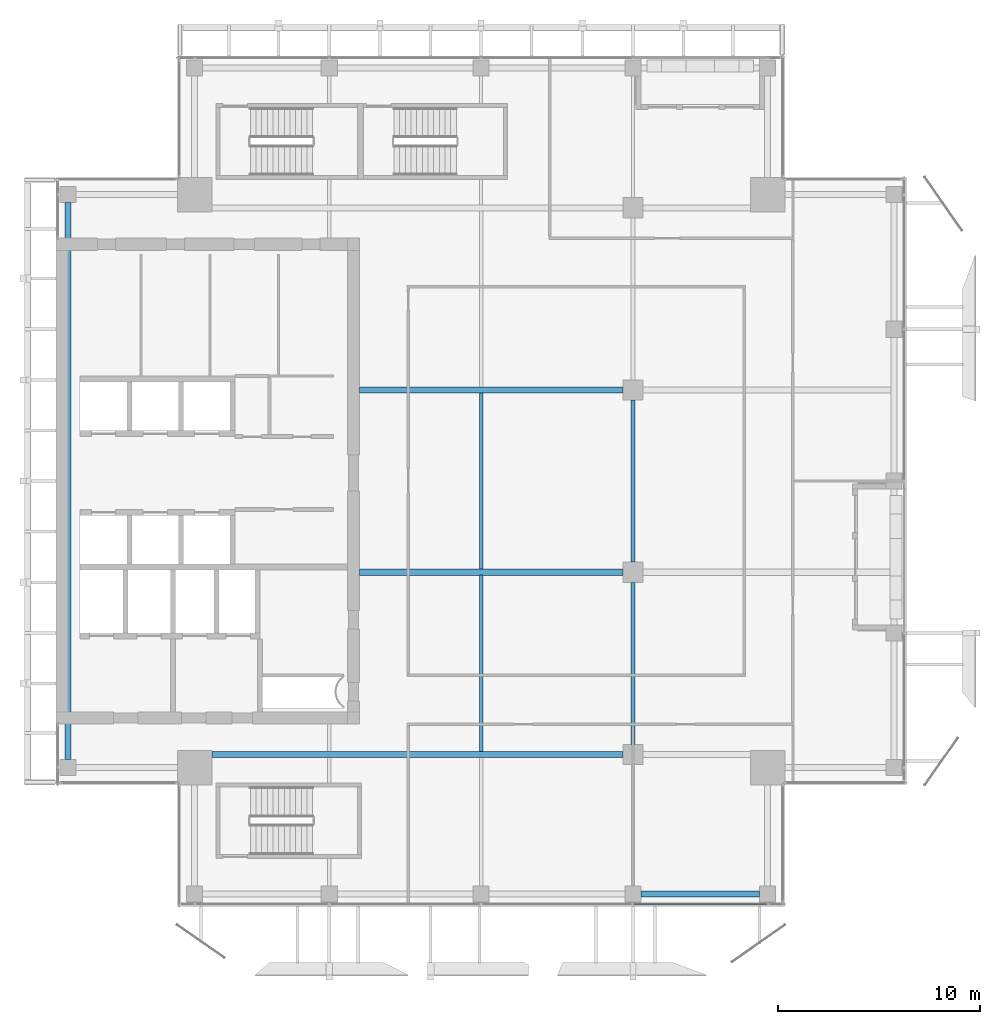
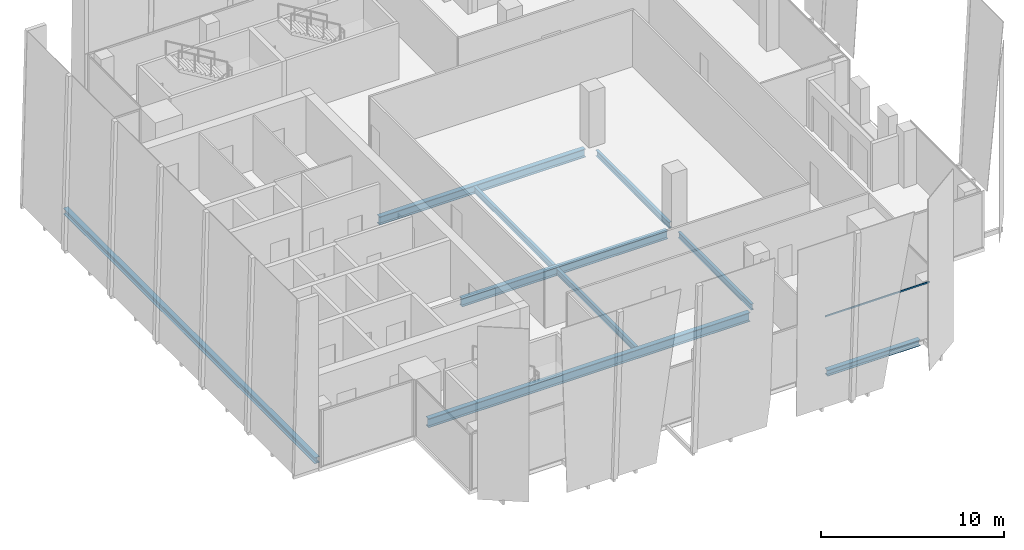
# One storey, part 6 of 32: 9 beams, 1 member, 1 element without a shape of its own.
"""IFC4 building model written with IfcOpenShell, lengths in metres."""

from ifc_helpers import new_model, si_unit, direction, frame, origin, origin_2d, place, context, subcontext, project, spatial, hollow_rectangle, i_section, extrude, source, transform, mapped, material, material_profile, profile_set, type_object, element, aggregate, save


model = new_model("IFC4")

# Units and contexts
model_context = context("Model", 3, precision=1e-05, world=origin(), true_north=direction((0.0, 1.0)))
body_context = subcontext(model_context, "Body", "Model", "MODEL_VIEW")
ifc_project = project(units=[si_unit("LENGTHUNIT", "METRE"), si_unit("AREAUNIT", "SQUARE_METRE"), si_unit("VOLUMEUNIT", "CUBIC_METRE"), si_unit("PLANEANGLEUNIT", "RADIAN"), si_unit("MASSUNIT", "GRAM", prefix="KILO")], contexts=[model_context])

# Site, building, storey
site_placement = place(None, origin())
site = spatial("IfcSite", under=ifc_project, at=site_placement, CompositionType="ELEMENT")
building_placement = place(site_placement, origin())
building = spatial("IfcBuilding", under=site, at=building_placement, Name="Khomas Fold Tower", CompositionType="ELEMENT")
storey_placement = place(building_placement, frame((0.0, 0.0, 318.199951171875)))
storey = spatial("IfcBuildingStorey", under=building, at=storey_placement, Name="L72", CompositionType="ELEMENT", Elevation=318.199951171875)

# Beams
ifc_material_1 = material(Name="Steel S355", Category="steel")
ifc_material_profile_1 = material_profile(ifc_material_1, i_section(OverallWidth=0.179931640625, OverallDepth=0.39990234375, WebThickness=0.008544921875, FlangeThickness=0.013427734375, at=origin_2d()), Name="IPE 400")
ifc_profile_set_1 = profile_set([ifc_material_profile_1], Name="Steel S355")
beam_type_1 = type_object("IfcBeamType", Name="IPE 400 beam JB3", PredefinedType="BEAM", material=ifc_profile_set_1)
shared_shape_1 = source(origin(), body_context, "Body", "SweptSolid", [
    extrude(i_section(OverallWidth=0.179931640625, OverallDepth=0.39990234375, WebThickness=0.008544921875, FlangeThickness=0.013427734375, at=origin_2d()), origin(), (0.0, 0.0, 1.0), 8.7001953125),
])
for number, where, z_axis, x_axis, name in (
    (1, (27.0, 13.64990234375, -0.449951171875), (0.0, 1.0, 0.0), (-1.0, 0.0, 0.0), "JB3"),
    (2, (27.0, 22.64990234375, -0.449951171875), (0.0, 1.0, 0.0), (-1.0, 0.0, 0.0), "JB3"),
):
    element("IfcBeam", number, at=place(storey_placement, frame(where, z_axis=z_axis, x_axis=x_axis)), inside=storey, type_object=beam_type_1, Name=name, PredefinedType="BEAM", context=body_context, shape_type="MappedRepresentation", body=[
        mapped(shared_shape_1, transform((0.0, 0.0, 0.0))),
    ])
ifc_material_2 = material(Name="Steel S355", Category="steel")
ifc_material_profile_2 = material_profile(ifc_material_2, i_section(OverallWidth=0.300048828125, OverallDepth=0.39990234375, WebThickness=0.013427734375, FlangeThickness=0.02392578125, at=origin_2d()), Name="HE 400 B")
ifc_profile_set_2 = profile_set([ifc_material_profile_2], Name="Steel S355")
beam_type_2 = type_object("IfcBeamType", Name="HE 400 B spandrel SB5", PredefinedType="SPANDREL", material=ifc_profile_set_2)
shared_shape_2 = source(origin(), body_context, "Body", "SweptSolid", [
    extrude(i_section(OverallWidth=0.300048828125, OverallDepth=0.39990234375, WebThickness=0.013427734375, FlangeThickness=0.02392578125, at=origin_2d()), origin(), (0.0, 0.0, 1.0), 5.85009765625),
])
beam_1_placement = place(storey_placement, frame((34.89990234375, 6.60009765625, -0.449951171875), z_axis=(1.0, 0.0, 0.0), x_axis=(0.0, 1.0, 0.0)))
element("IfcBeam", 3, at=beam_1_placement, inside=storey, type_object=beam_type_2, Name="SB5", PredefinedType="SPANDREL", context=body_context, shape_type="MappedRepresentation", body=[
    mapped(shared_shape_2, transform((0.0, 0.0, 0.0))),
])
shared_shape_3 = source(origin(), body_context, "Body", "SweptSolid", [
    extrude(i_section(OverallWidth=0.300048828125, OverallDepth=0.39990234375, WebThickness=0.013427734375, FlangeThickness=0.02392578125, at=origin_2d()), origin(), (0.0, 0.0, 1.0), 27.5),
])
beam_2_placement = place(storey_placement, frame((6.60009765625, 13.25, -0.449951171875), z_axis=(0.0, 1.0, 0.0), x_axis=(-1.0, 0.0, 0.0)))
element("IfcBeam", 4, at=beam_2_placement, inside=storey, type_object=beam_type_2, Name="SB5", PredefinedType="SPANDREL", context=body_context, shape_type="MappedRepresentation", body=[
    mapped(shared_shape_3, transform((0.0, 0.0, 0.0))),
])
ifc_material_3 = material(Name="Steel S355", Category="steel")
ifc_material_profile_3 = material_profile(ifc_material_3, i_section(OverallWidth=0.300048828125, OverallDepth=0.60009765625, WebThickness=0.015380859375, FlangeThickness=0.030029296875, at=origin_2d()), Name="HE 600 B")
ifc_profile_set_3 = profile_set([ifc_material_profile_3], Name="Steel S355")
beam_type_3 = type_object("IfcBeamType", Name="HE 600 B beam GB5", PredefinedType="BEAM", material=ifc_profile_set_3)
shared_shape_4 = source(origin(), body_context, "Body", "SweptSolid", [
    extrude(i_section(OverallWidth=0.300048828125, OverallDepth=0.60009765625, WebThickness=0.015380859375, FlangeThickness=0.030029296875, at=origin_2d()), origin(), (0.0, 0.0, 1.0), 20.300048828125),
])
beam_3_placement = place(storey_placement, frame((13.699951171875, 13.5, -0.550048828125), z_axis=(1.0, 0.0, 0.0), x_axis=(0.0, 1.0, 0.0)))
element("IfcBeam", 5, at=beam_3_placement, inside=storey, type_object=beam_type_3, Name="GB5", PredefinedType="BEAM", context=body_context, shape_type="MappedRepresentation", body=[
    mapped(shared_shape_4, transform((0.0, 0.0, 0.0))),
])
ifc_material_4 = material(Name="Steel S355", Category="steel")
ifc_material_profile_4 = material_profile(ifc_material_4, i_section(OverallWidth=0.300048828125, OverallDepth=0.550048828125, WebThickness=0.014892578125, FlangeThickness=0.029052734375, at=origin_2d()), Name="HE 550 B")
ifc_profile_set_4 = profile_set([ifc_material_profile_4], Name="Steel S355")
beam_type_4 = type_object("IfcBeamType", Name="HE 550 B beam GB4", PredefinedType="BEAM", material=ifc_profile_set_4)
shared_shape_5 = source(origin(), body_context, "Body", "SweptSolid", [
    extrude(i_section(OverallWidth=0.300048828125, OverallDepth=0.550048828125, WebThickness=0.014892578125, FlangeThickness=0.029052734375, at=origin_2d()), origin(), (0.0, 0.0, 1.0), 13.0),
])
for number, where, z_axis, x_axis, name in (
    (6, (21.0, 22.5, -0.52490234375), (1.0, 0.0, 0.0), (0.0, 1.0, 0.0), "GB4"),
    (7, (21.0, 31.5, -0.52490234375), (1.0, 0.0, 0.0), (0.0, 1.0, 0.0), "GB4"),
):
    element("IfcBeam", number, at=place(storey_placement, frame(where, z_axis=z_axis, x_axis=x_axis)), inside=storey, type_object=beam_type_4, Name=name, PredefinedType="BEAM", context=body_context, shape_type="MappedRepresentation", body=[
        mapped(shared_shape_5, transform((0.0, 0.0, 0.0))),
    ])
shared_shape_6 = source(origin(), body_context, "Body", "SweptSolid", [
    extrude(i_section(OverallWidth=0.179931640625, OverallDepth=0.39990234375, WebThickness=0.008544921875, FlangeThickness=0.013427734375, at=origin_2d()), origin(), (0.0, 0.0, 1.0), 8.0),
])
for number, where, z_axis, x_axis, name in (
    (8, (34.5, 14.0, -0.449951171875), (0.0, 1.0, 0.0), (-1.0, 0.0, 0.0), "JB3"),
    (9, (34.5, 23.0, -0.449951171875), (0.0, 1.0, 0.0), (-1.0, 0.0, 0.0), "JB3"),
):
    element("IfcBeam", number, at=place(storey_placement, frame(where, z_axis=z_axis, x_axis=x_axis)), inside=storey, type_object=beam_type_1, Name=name, PredefinedType="BEAM", context=body_context, shape_type="MappedRepresentation", body=[
        mapped(shared_shape_6, transform((0.0, 0.0, 0.0))),
    ])

# Curtain wall, member
ifc_material_5 = material(Name="Aluminium framed double glazing", Category="aluminium")
curtain_wall_type = type_object("IfcCurtainWallType", Name="SK-Unitised clear-glass wall, upper floors CW3", PredefinedType="NOTDEFINED", material=ifc_material_5)
curtain_wall_placement = place(storey_placement, origin())
curtain_wall = element("IfcCurtainWall", 10, at=curtain_wall_placement, inside=storey, type_object=curtain_wall_type, Name="CW3 run L72 00-0", PredefinedType="NOTDEFINED")
ifc_material_6 = material(Name="Aluminium", Category="aluminium")
ifc_material_profile_5 = material_profile(ifc_material_6, hollow_rectangle(XDim=0.050048828125, YDim=0.10009765625, WallThickness=0.00390625, at=origin_2d()), Name="SK-Unitised clear-glass wall, upper floors transom CW3-T")
ifc_profile_set_5 = profile_set([ifc_material_profile_5], Name="Aluminium")
member_type = type_object("IfcMemberType", Name="SK-Unitised clear-glass wall, upper floors transom CW3-T", PredefinedType="USERDEFINED", material=ifc_profile_set_5)
shared_shape_7 = source(origin(), body_context, "Body", "SweptSolid", [
    extrude(hollow_rectangle(XDim=0.050048828125, YDim=0.10009765625, WallThickness=0.00390625, at=origin_2d()), origin(), (0.0, 0.0, 1.0), 6.60009765625),
])
member_placement = place(storey_placement, frame((34.52490234375, 6.10009765625, 3.699951171875), z_axis=(1.0, 0.0, 0.0), x_axis=(0.0, 1.0, 0.0)))
member = element("IfcMember", 11, at=member_placement, type_object=member_type, Name="CW3 transom 5", ObjectType="TRANSOM", PredefinedType="USERDEFINED", context=body_context, shape_type="MappedRepresentation", body=[
    mapped(shared_shape_7, transform((0.0, 0.0, 0.0))),
])
aggregate(curtain_wall, [member])

save(model, "model.ifc")
